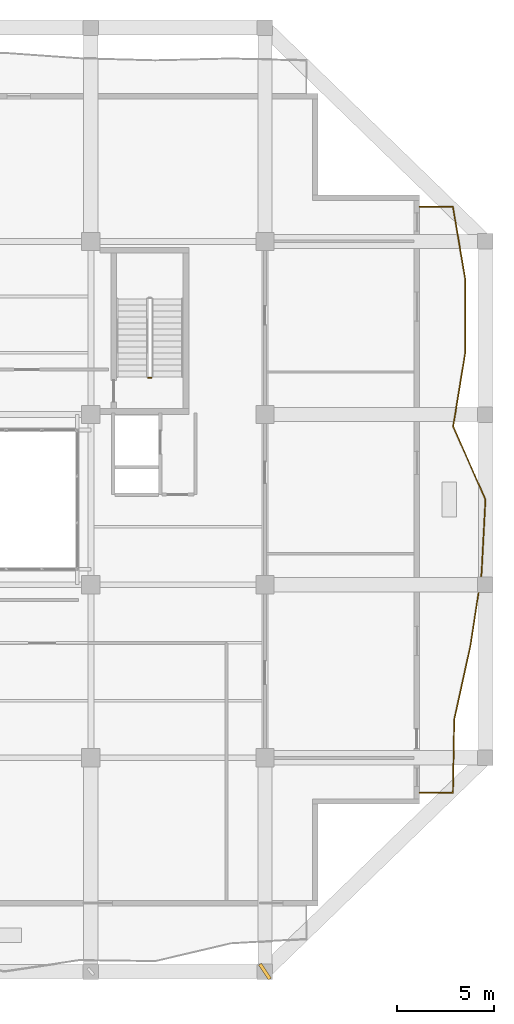
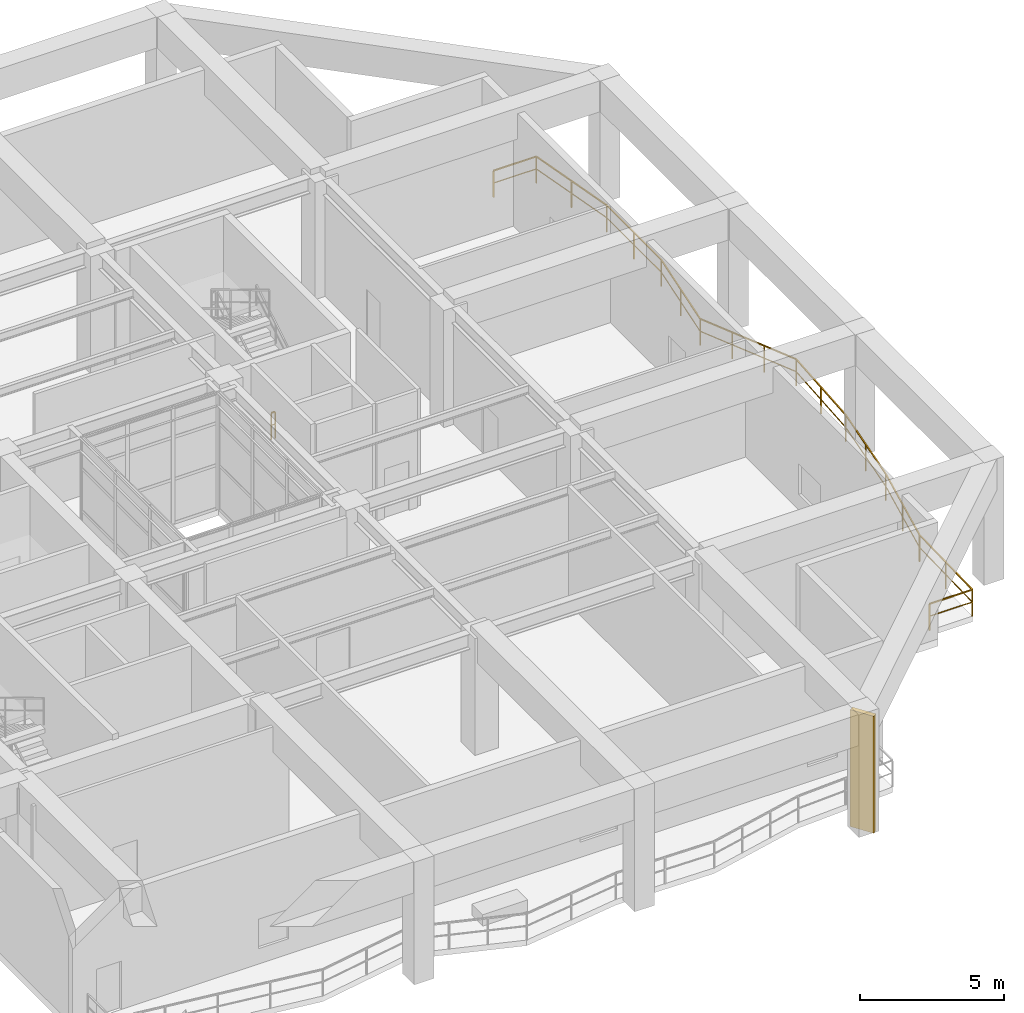
# One storey, part 11 of 13: 2 railings, 1 shading device.
"""IFC4 building model written with IfcOpenShell, lengths in metres."""

import ifcopenshell
import ifcopenshell.guid

model = None  # the IFC model being written
_history = None  # IfcOwnerHistory: only IFC2X3 demands one
_inside = {}  # id of a spatial element -> (the spatial element, [elements in it])
_under = {}  # id of a project, library or spatial element -> (it, [spatial elements below it])
_declared = {}  # id of a project -> (the project, [libraries it declares])
_typed = {}  # id of a type object -> (the type object, [elements of that type])
_made_of = {}  # id of a material, layer set ... -> (it, [elements and type objects made of it])


def new_model(schema):
    """Start an empty IFC model of exactly this schema.

    Asked for "IFC4X3", IfcOpenShell would pick the latest addendum, in which some entities
    have other attributes; the version numbers below select the first issue.
    IFC2X3 requires an IfcOwnerHistory on every rooted entity: one is made here for all.
    """
    global model, _history
    if schema == "IFC4X3":
        model = ifcopenshell.file(schema_version=(4, 3, 0, 0))
    else:
        model = ifcopenshell.file(schema=schema)
    _inside.clear()
    _under.clear()
    _declared.clear()
    _typed.clear()
    _made_of.clear()
    _history = None
    if model.schema == "IFC2X3":
        org = make("IfcOrganization", Name="unknown")
        user = make(
            "IfcPersonAndOrganization",
            ThePerson=make("IfcPerson", FamilyName="unknown"),
            TheOrganization=org,
        )
        app = make(
            "IfcApplication",
            ApplicationDeveloper=org,
            Version="unknown",
            ApplicationFullName="unknown",
            ApplicationIdentifier="unknown",
        )
        _history = make(
            "IfcOwnerHistory",
            OwningUser=user,
            OwningApplication=app,
            ChangeAction="ADDED",
            CreationDate=0,
        )
    return model


def make(cls, **values):
    """One entity of the class cls with the attributes given. An attribute that is None is left unset."""
    return model.create_entity(
        cls, **{name: value for name, value in values.items() if value is not None}
    )


def rooted(cls, **values):
    """An entity with a GlobalId (a new one), such as an element, a storey or a relation."""
    return make(cls, GlobalId=ifcopenshell.guid.new(), OwnerHistory=_history, **values)


def si_unit(unit_type, name, prefix=None):
    """IfcSIUnit, for example si_unit("LENGTHUNIT", "METRE", prefix="MILLI")."""
    return make("IfcSIUnit", UnitType=unit_type, Prefix=prefix, Name=name)


def assignment(units):
    """IfcUnitAssignment: the units of a project."""
    return None if units is None else make("IfcUnitAssignment", Units=units)


def point(xyz):
    """IfcCartesianPoint."""
    return None if xyz is None else make("IfcCartesianPoint", Coordinates=xyz)


def direction(xyz):
    """IfcDirection."""
    return None if xyz is None else make("IfcDirection", DirectionRatios=xyz)


def frame(location, z_axis=None, x_axis=None):
    """IfcAxis2Placement3D, a coordinate frame: its origin and axes. An axis left out is left unset."""
    return make(
        "IfcAxis2Placement3D",
        Location=point(location),
        Axis=direction(z_axis),
        RefDirection=direction(x_axis),
    )


def frame_2d(location, x_axis=None):
    """IfcAxis2Placement2D, a coordinate frame in the plane: its origin and x axis."""
    return make(
        "IfcAxis2Placement2D", Location=point(location), RefDirection=direction(x_axis)
    )


def origin():
    """The frame at (0, 0, 0) with its axes left unset."""
    return frame((0.0, 0.0, 0.0))


def origin_2d():
    """The frame at (0, 0) in the plane with its x axis left unset."""
    return frame_2d((0.0, 0.0))


def place(relative_to, where):
    """IfcLocalPlacement: puts the frame where relative to a parent placement (None: the world)."""
    return make(
        "IfcLocalPlacement", PlacementRelTo=relative_to, RelativePlacement=where
    )


def context(
    kind, dimensions, precision=None, world=None, true_north=None, identifier=None
):
    """IfcGeometricRepresentationContext, for example the 3D "Model" context."""
    return make(
        "IfcGeometricRepresentationContext",
        ContextIdentifier=identifier,
        ContextType=kind,
        CoordinateSpaceDimension=dimensions,
        Precision=precision,
        WorldCoordinateSystem=world,
        TrueNorth=true_north,
    )


def subcontext(parent, identifier, kind, view, scale=None):
    """IfcGeometricRepresentationSubContext, for example "Body" below "Model"."""
    return make(
        "IfcGeometricRepresentationSubContext",
        ContextIdentifier=identifier,
        ContextType=kind,
        ParentContext=parent,
        TargetScale=scale,
        TargetView=view,
    )


def project(units=None, contexts=None):
    """IfcProject with its units and contexts."""
    return rooted(
        "IfcProject",
        Name="project",
        RepresentationContexts=contexts,
        UnitsInContext=assignment(units),
    )


def spatial(cls, under=None, at=None, **own):
    """A site, building, storey or space (cls), placed at a placement, below another one or the project."""
    s = rooted(cls, ObjectPlacement=at, **own)
    if under is not None:
        _under.setdefault(under.id(), (under, []))[1].append(s)
    return s


def profile(cls, at=None, kind="AREA", **sizes):
    """A parametric profile (cls). Its sizes go by their IFC names, for example OverallWidth=200.0."""
    return make(cls, ProfileType=kind, Position=at, **sizes)


def rectangle(**sizes):
    """IfcRectangleProfileDef."""
    return profile("IfcRectangleProfileDef", **sizes)


def extrude(swept, where, along, depth):
    """IfcExtrudedAreaSolid: the profile swept, set in the frame where, extruded along a direction by depth."""
    return make(
        "IfcExtrudedAreaSolid",
        SweptArea=swept,
        Position=where,
        ExtrudedDirection=direction(along),
        Depth=depth,
    )


def shape(context_of_items, identifier, shape_type, items):
    """IfcShapeRepresentation: the items that make up one representation, for example the "Body"."""
    return make(
        "IfcShapeRepresentation",
        ContextOfItems=context_of_items,
        RepresentationIdentifier=identifier,
        RepresentationType=shape_type,
        Items=items,
    )


def material(Name=None, Category=None):
    """IfcMaterial."""
    return make("IfcMaterial", Name=Name, Category=Category)


def made_of(thing, what):
    """Note that an element or type object is made of a material, layer set ...; save() writes the relation."""
    if what is not None:
        _made_of.setdefault(what.id(), (what, []))[1].append(thing)
    return thing


def type_object(cls, material=None, **own):
    """A type object (cls), such as IfcWallType, which elements share."""
    return made_of(rooted(cls, **own), material)


def element(
    cls,
    number,
    at=None,
    inside=None,
    cuts=None,
    type_object=None,
    material=None,
    context=None,
    identifier="Body",
    shape_type=None,
    held_by="IfcProductDefinitionShape",
    body=None,
    shapes=None,
    **own,
):
    """One element of the class cls, such as IfcWall. Its Tag is "e" and its number.

    at: its placement. inside: the storey or other place that contains it. cuts: it is an
    opening in that element (IfcRelVoidsElement). A single representation is given by context,
    identifier, shape_type and body (its items); several are given by shapes. held_by: the class
    of the entity that holds the representations. save() writes the other relations.
    """
    e = rooted(cls, Tag="e%d" % number, ObjectPlacement=at, **own)
    if body is not None:
        shapes = [shape(context, identifier, shape_type, body)]
    if shapes is not None:
        e.Representation = make(held_by, Representations=shapes)
    if inside is not None:
        _inside.setdefault(inside.id(), (inside, []))[1].append(e)
    if cuts is not None:
        rooted(
            "IfcRelVoidsElement", RelatingBuildingElement=cuts, RelatedOpeningElement=e
        )
    if type_object is not None:
        _typed.setdefault(type_object.id(), (type_object, []))[1].append(e)
    return made_of(e, material)


def aggregate(whole, parts):
    """IfcRelAggregates: a whole, such as a stair, and the parts it consists of."""
    return rooted("IfcRelAggregates", RelatingObject=whole, RelatedObjects=parts)


def save(model, path):
    """Write the relations noted so far, then the file.

    IfcRelAggregates (storeys below a building ...), IfcRelContainedInSpatialStructure (elements
    in a storey), IfcRelDefinesByType, IfcRelAssociatesMaterial and IfcRelDeclares: one each for
    every whole, place, type object, material and project.
    """
    for whole, parts in _under.values():
        aggregate(whole, parts)
    for where, things in _inside.values():
        rooted(
            "IfcRelContainedInSpatialStructure",
            RelatedElements=things,
            RelatingStructure=where,
        )
    for kind, things in _typed.values():
        rooted("IfcRelDefinesByType", RelatedObjects=things, RelatingType=kind)
    for what, things in _made_of.values():
        rooted("IfcRelAssociatesMaterial", RelatedObjects=things, RelatingMaterial=what)
    for by, libraries in _declared.values():
        rooted("IfcRelDeclares", RelatingContext=by, RelatedDefinitions=libraries)
    model.write(path)


model = new_model("IFC4")

# Units and contexts
model_context = context("Model", 3, precision=1e-05, world=origin(), true_north=direction((0.0, 1.0)))
body_context = subcontext(model_context, "Body", "Model", "MODEL_VIEW")
ifc_project = project(units=[si_unit("LENGTHUNIT", "METRE"), si_unit("AREAUNIT", "SQUARE_METRE"), si_unit("VOLUMEUNIT", "CUBIC_METRE"), si_unit("PLANEANGLEUNIT", "RADIAN"), si_unit("MASSUNIT", "GRAM", prefix="KILO")], contexts=[model_context])

# Site, building, storey
site_placement = place(None, origin())
site = spatial("IfcSite", under=ifc_project, at=site_placement, CompositionType="ELEMENT")
building_placement = place(site_placement, origin())
building = spatial("IfcBuilding", under=site, at=building_placement, Name="Kundavana Baori Tower", CompositionType="ELEMENT")
storey_placement = place(building_placement, frame((0.0, 0.0, 208.89990234375)))
storey = spatial("IfcBuildingStorey", under=building, at=storey_placement, Name="L51", CompositionType="ELEMENT", Elevation=208.89990234375)

# Railings
ifc_material_1 = material(Name="Architectural Patinated Bronze Metalwork")
railing_type_1 = type_object("IfcRailingType", Name="RL-BAL-1150", PredefinedType="BALUSTRADE", material=ifc_material_1)
railing_1_placement = place(storey_placement, frame((50.800048828125, 43.75, 0.0)))
element("IfcRailing", 1, at=railing_1_placement, inside=storey, type_object=railing_type_1, Name="L51 Loggia Balcony Balustrade E", PredefinedType="BALUSTRADE", context=body_context, shape_type="SweptSolid", body=[
    extrude(rectangle(XDim=0.048095703125, YDim=0.048095703125, at=origin_2d()), frame((0.0, 0.0, 1.1259765625), z_axis=(1.0, 0.0, 0.0), x_axis=(0.0, 1.0, 0.0)), (0.0, 0.0, 1.0), 1.719970703125),
    extrude(rectangle(XDim=0.03125, YDim=0.03125, at=origin_2d()), frame((0.0, 0.0, 0.597900390625), z_axis=(1.0, 0.0, 0.0), x_axis=(0.0, 1.0, 0.0)), (0.0, 0.0, 1.0), 1.719970703125),
    extrude(rectangle(XDim=0.048095703125, YDim=0.048095703125, at=origin_2d()), frame((1.719970703125, 0.0, 1.1259765625), z_axis=(0.167118699382, -0.985936783124, 0.0), x_axis=(0.985936783124, 0.167118699382, 0.0)), (0.0, 0.0, 1.0), 3.842041015625),
    extrude(rectangle(XDim=0.03125, YDim=0.03125, at=origin_2d()), frame((1.719970703125, 0.0, 0.597900390625), z_axis=(0.167118699382, -0.985936783124, 0.0), x_axis=(0.985936783124, 0.167118699382, 0.0)), (0.0, 0.0, 1.0), 3.842041015625),
    extrude(rectangle(XDim=0.048095703125, YDim=0.048095703125, at=origin_2d()), frame((2.362060546875, -3.7880859375, 1.1259765625), z_axis=(-0.002127517589, -0.999997736832, 0.0), x_axis=(0.999997736832, -0.002127517589, 0.0)), (0.0, 0.0, 1.0), 3.786865234375),
    extrude(rectangle(XDim=0.03125, YDim=0.03125, at=origin_2d()), frame((2.362060546875, -3.7880859375, 0.597900390625), z_axis=(-0.002127517589, -0.999997736832, 0.0), x_axis=(0.999997736832, -0.002127517589, 0.0)), (0.0, 0.0, 1.0), 3.786865234375),
    extrude(rectangle(XDim=0.048095703125, YDim=0.048095703125, at=origin_2d()), frame((2.35400390625, -7.574951171875, 1.1259765625), z_axis=(-0.161840024956, -0.986817007516, 0.0), x_axis=(0.986817007516, -0.161840024956, 0.0)), (0.0, 0.0, 1.0), 3.837646484375),
    extrude(rectangle(XDim=0.03125, YDim=0.03125, at=origin_2d()), frame((2.35400390625, -7.574951171875, 0.597900390625), z_axis=(-0.161840024956, -0.986817007516, 0.0), x_axis=(0.986817007516, -0.161840024956, 0.0)), (0.0, 0.0, 1.0), 3.837646484375),
    extrude(rectangle(XDim=0.048095703125, YDim=0.048095703125, at=origin_2d()), frame((1.73291015625, -11.362060546875, 1.1259765625), z_axis=(0.402807807937, -0.915284584086, 0.0), x_axis=(0.915284584086, 0.402807807937, 0.0)), (0.0, 0.0, 1.0), 4.138427734375),
    extrude(rectangle(XDim=0.03125, YDim=0.03125, at=origin_2d()), frame((1.73291015625, -11.362060546875, 0.597900390625), z_axis=(0.402807807937, -0.915284584086, 0.0), x_axis=(0.915284584086, 0.402807807937, 0.0)), (0.0, 0.0, 1.0), 4.138427734375),
    extrude(rectangle(XDim=0.048095703125, YDim=0.048095703125, at=origin_2d()), frame((3.39990234375, -15.14990234375, 1.1259765625), z_axis=(-0.051940622011, -0.998650174879, 0.0), x_axis=(0.998650174879, -0.051940622011, 0.0)), (0.0, 0.0, 1.0), 3.793212890625),
    extrude(rectangle(XDim=0.03125, YDim=0.03125, at=origin_2d()), frame((3.39990234375, -15.14990234375, 0.597900390625), z_axis=(-0.051940622011, -0.998650174879, 0.0), x_axis=(0.998650174879, -0.051940622011, 0.0)), (0.0, 0.0, 1.0), 3.793212890625),
    extrude(rectangle(XDim=0.048095703125, YDim=0.048095703125, at=origin_2d()), frame((3.202880859375, -18.93798828125, 1.1259765625), z_axis=(-0.151592702631, -0.988443044646, 0.0), x_axis=(0.988443044646, -0.151592702631, 0.0)), (0.0, 0.0, 1.0), 3.831298828125),
    extrude(rectangle(XDim=0.03125, YDim=0.03125, at=origin_2d()), frame((3.202880859375, -18.93798828125, 0.597900390625), z_axis=(-0.151592702631, -0.988443044646, 0.0), x_axis=(0.988443044646, -0.151592702631, 0.0)), (0.0, 0.0, 1.0), 3.831298828125),
    extrude(rectangle(XDim=0.048095703125, YDim=0.048095703125, at=origin_2d()), frame((2.6220703125, -22.72509765625, 1.1259765625), z_axis=(-0.214836558169, -0.976650015755, 0.0), x_axis=(0.976650015755, -0.214836558169, 0.0)), (0.0, 0.0, 1.0), 3.87744140625),
    extrude(rectangle(XDim=0.03125, YDim=0.03125, at=origin_2d()), frame((2.6220703125, -22.72509765625, 0.597900390625), z_axis=(-0.214836558169, -0.976650015755, 0.0), x_axis=(0.976650015755, -0.214836558169, 0.0)), (0.0, 0.0, 1.0), 3.87744140625),
    extrude(rectangle(XDim=0.048095703125, YDim=0.048095703125, at=origin_2d()), frame((1.7890625, -26.511962890625, 1.1259765625), z_axis=(-0.018236203852, -0.999833706608, 0.0), x_axis=(0.999833706608, -0.018236203852, 0.0)), (0.0, 0.0, 1.0), 3.788818359375),
    extrude(rectangle(XDim=0.03125, YDim=0.03125, at=origin_2d()), frame((1.7890625, -26.511962890625, 0.597900390625), z_axis=(-0.018236203852, -0.999833706608, 0.0), x_axis=(0.999833706608, -0.018236203852, 0.0)), (0.0, 0.0, 1.0), 3.788818359375),
    extrude(rectangle(XDim=0.048095703125, YDim=0.048095703125, at=origin_2d()), frame((1.719970703125, -30.300048828125, 1.1259765625), z_axis=(-1.0, 0.0, 0.0), x_axis=(0.0, -1.0, 0.0)), (0.0, 0.0, 1.0), 1.719970703125),
    extrude(rectangle(XDim=0.03125, YDim=0.03125, at=origin_2d()), frame((1.719970703125, -30.300048828125, 0.597900390625), z_axis=(-1.0, 0.0, 0.0), x_axis=(0.0, -1.0, 0.0)), (0.0, 0.0, 1.0), 1.719970703125),
    extrude(rectangle(XDim=0.0419921875, YDim=0.0419921875, at=origin_2d()), origin(), (0.0, 0.0, 1.0), 1.101806640625),
    extrude(rectangle(XDim=0.0419921875, YDim=0.0419921875, at=origin_2d()), frame((1.719970703125, 0.0, 0.0)), (0.0, 0.0, 1.0), 1.101806640625),
    extrude(rectangle(XDim=0.0419921875, YDim=0.0419921875, at=origin_2d()), frame((2.041015625, -1.89404296875, 0.0)), (0.0, 0.0, 1.0), 1.101806640625),
    extrude(rectangle(XDim=0.0419921875, YDim=0.0419921875, at=origin_2d()), frame((2.362060546875, -3.7880859375, 0.0)), (0.0, 0.0, 1.0), 1.101806640625),
    extrude(rectangle(XDim=0.0419921875, YDim=0.0419921875, at=origin_2d()), frame((2.35791015625, -5.681640625, 0.0)), (0.0, 0.0, 1.0), 1.101806640625),
    extrude(rectangle(XDim=0.0419921875, YDim=0.0419921875, at=origin_2d()), frame((2.35400390625, -7.574951171875, 0.0)), (0.0, 0.0, 1.0), 1.101806640625),
    extrude(rectangle(XDim=0.0419921875, YDim=0.0419921875, at=origin_2d()), frame((2.04345703125, -9.468505859375, 0.0)), (0.0, 0.0, 1.0), 1.101806640625),
    extrude(rectangle(XDim=0.0419921875, YDim=0.0419921875, at=origin_2d()), frame((1.73291015625, -11.362060546875, 0.0)), (0.0, 0.0, 1.0), 1.101806640625),
    extrude(rectangle(XDim=0.0419921875, YDim=0.0419921875, at=origin_2d()), frame((2.28857421875, -12.624755859375, 0.0)), (0.0, 0.0, 1.0), 1.101806640625),
    extrude(rectangle(XDim=0.0419921875, YDim=0.0419921875, at=origin_2d()), frame((2.84423828125, -13.88720703125, 0.0)), (0.0, 0.0, 1.0), 1.101806640625),
    extrude(rectangle(XDim=0.0419921875, YDim=0.0419921875, at=origin_2d()), frame((3.39990234375, -15.14990234375, 0.0)), (0.0, 0.0, 1.0), 1.101806640625),
    extrude(rectangle(XDim=0.0419921875, YDim=0.0419921875, at=origin_2d()), frame((3.30126953125, -17.0439453125, 0.0)), (0.0, 0.0, 1.0), 1.101806640625),
    extrude(rectangle(XDim=0.0419921875, YDim=0.0419921875, at=origin_2d()), frame((3.202880859375, -18.93798828125, 0.0)), (0.0, 0.0, 1.0), 1.101806640625),
    extrude(rectangle(XDim=0.0419921875, YDim=0.0419921875, at=origin_2d()), frame((2.91259765625, -20.83154296875, 0.0)), (0.0, 0.0, 1.0), 1.101806640625),
    extrude(rectangle(XDim=0.0419921875, YDim=0.0419921875, at=origin_2d()), frame((2.6220703125, -22.72509765625, 0.0)), (0.0, 0.0, 1.0), 1.101806640625),
    extrude(rectangle(XDim=0.0419921875, YDim=0.0419921875, at=origin_2d()), frame((2.20556640625, -24.61865234375, 0.0)), (0.0, 0.0, 1.0), 1.101806640625),
    extrude(rectangle(XDim=0.0419921875, YDim=0.0419921875, at=origin_2d()), frame((1.7890625, -26.511962890625, 0.0)), (0.0, 0.0, 1.0), 1.101806640625),
    extrude(rectangle(XDim=0.0419921875, YDim=0.0419921875, at=origin_2d()), frame((1.75439453125, -28.406005859375, 0.0)), (0.0, 0.0, 1.0), 1.101806640625),
    extrude(rectangle(XDim=0.0419921875, YDim=0.0419921875, at=origin_2d()), frame((1.719970703125, -30.300048828125, 0.0)), (0.0, 0.0, 1.0), 1.101806640625),
    extrude(rectangle(XDim=0.0419921875, YDim=0.0419921875, at=origin_2d()), frame((0.0, -30.300048828125, 0.0)), (0.0, 0.0, 1.0), 1.101806640625),
])
ifc_material_2 = material(Name="Architectural Patinated Bronze Metalwork")
railing_type_2 = type_object("IfcRailingType", Name="RL-GRD-1150", PredefinedType="GUARDRAIL", material=ifc_material_2)
railing_2_placement = place(storey_placement, frame((36.929931640625, 34.89990234375, 0.0)))
element("IfcRailing", 2, at=railing_2_placement, inside=storey, type_object=railing_type_2, Name="L51 ST3 stair guard 4", PredefinedType="GUARDRAIL", context=body_context, shape_type="SweptSolid", body=[
    extrude(rectangle(XDim=0.048095703125, YDim=0.048095703125, at=origin_2d()), frame((0.0, 0.0, 1.1259765625), z_axis=(-1.0, 0.0, 0.0), x_axis=(0.0, -1.0, 0.0)), (0.0, 0.0, 1.0), 0.159912109375),
    extrude(rectangle(XDim=0.03125, YDim=0.03125, at=origin_2d()), frame((0.0, 0.0, 0.597900390625), z_axis=(-1.0, 0.0, 0.0), x_axis=(0.0, -1.0, 0.0)), (0.0, 0.0, 1.0), 0.159912109375),
    extrude(rectangle(XDim=0.0419921875, YDim=0.0419921875, at=origin_2d()), origin(), (0.0, 0.0, 1.0), 1.101806640625),
    extrude(rectangle(XDim=0.0419921875, YDim=0.0419921875, at=origin_2d()), frame((-0.159912109375, 0.0, 0.0)), (0.0, 0.0, 1.0), 1.101806640625),
])

# Shading device
ifc_material_3 = material(Name="Red-Buff Dholpur Sandstone Cladding on Concrete C40/50", Category="masonry")
shading_device_type = type_object("IfcShadingDeviceType", Name="SHD-FIN-920", PredefinedType="JALOUSIE", material=ifc_material_3)
shading_device_placement = place(storey_placement, frame((42.800048828125, 4.199951171875, 0.0), z_axis=(0.0, 0.0, 1.0), x_axis=(0.834751773535, 0.55062644014, 0.0)))
element("IfcShadingDevice", 3, at=shading_device_placement, inside=storey, type_object=shading_device_type, Name="L51 Sweeping Dholpur Sandstone Facade Fin 4", PredefinedType="JALOUSIE", context=body_context, shape_type="SweptSolid", body=[
    extrude(rectangle(XDim=0.179931640625, YDim=0.919921875, at=origin_2d()), origin(), (0.0, 0.0, 1.0), 4.9599609375),
])

save(model, "model.ifc")
